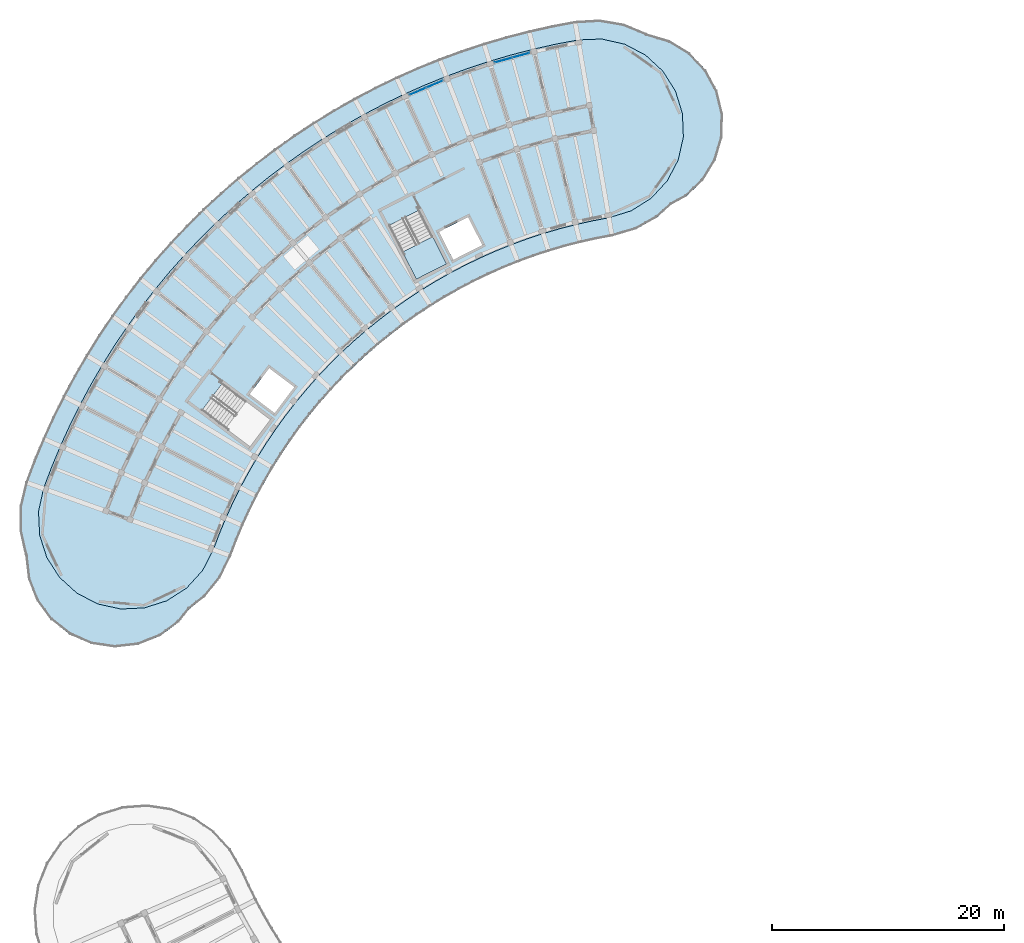
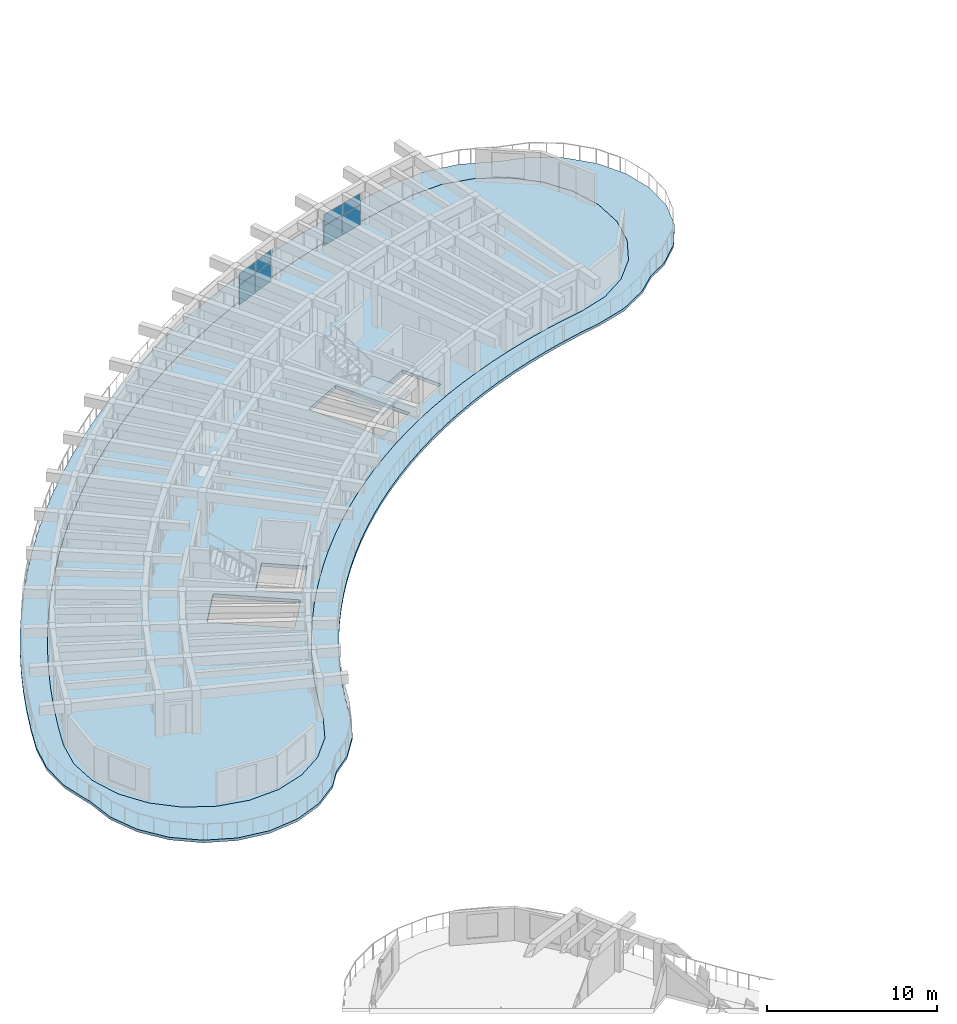
# One storey, part 29 of 62: 8 plates, 3 slabs, 3 elements without a shape of their own.
"""IFC4 building model written with IfcOpenShell, lengths in metres."""

from ifc_helpers import new_model, si_unit, direction, frame, origin, origin_2d, place, context, subcontext, project, spatial, polyline, rectangle, outline, extrude, material, layer, layer_set, type_object, element, aggregate, save


model = new_model("IFC4")

# Units and contexts
model_context = context("Model", 3, precision=1e-05, world=origin(), true_north=direction((0.0, 1.0)))
body_context = subcontext(model_context, "Body", "Model", "MODEL_VIEW")
ifc_project = project(units=[si_unit("LENGTHUNIT", "METRE"), si_unit("AREAUNIT", "SQUARE_METRE"), si_unit("VOLUMEUNIT", "CUBIC_METRE"), si_unit("PLANEANGLEUNIT", "RADIAN"), si_unit("MASSUNIT", "GRAM", prefix="KILO")], contexts=[model_context])

# Site, building, storey
site_placement = place(None, origin())
site = spatial("IfcSite", under=ifc_project, at=site_placement, CompositionType="ELEMENT")
building_placement = place(site_placement, origin())
building = spatial("IfcBuilding", under=site, at=building_placement, Name="Tanwirah Colonnade Gardens", CompositionType="ELEMENT")
storey_placement = place(building_placement, frame((0.0, 0.0, 32.360107421875)))
storey = spatial("IfcBuildingStorey", under=building, at=storey_placement, Name="L09", CompositionType="ELEMENT", Elevation=32.360107421875)

# Curtain wall, plates
ifc_material_1 = material(Name="Bronze-anodised aluminium and solar-control low-E glass", Category="aluminium")
curtain_wall_type = type_object("IfcCurtainWallType", Name="CW-LOB", PredefinedType="NOTDEFINED", material=ifc_material_1)
curtain_wall_1_placement = place(storey_placement, origin())
curtain_wall_1 = element("IfcCurtainWall", 1, at=curtain_wall_1_placement, inside=storey, type_object=curtain_wall_type, Name="Curtain Wall CW-A-L09-OUT-02", PredefinedType="NOTDEFINED")
ifc_material_2 = material(Name="Solar-control low-E double glazing", Category="glass")
ifc_layer_1 = layer(ifc_material_2, 0.028076171875)
ifc_layer_set_1 = layer_set([ifc_layer_1], Name="Solar-control low-E double glazing")
plate_type = type_object("IfcPlateType", Name="CWP-GLZ28", PredefinedType="CURTAIN_PANEL", material=ifc_layer_set_1)
plate_1_placement = place(storey_placement, frame((49.908203125, 117.77783203125, 0.059814453125), z_axis=(0.0, 0.0, 1.0), x_axis=(-0.963889165989, -0.266303728268, 0.0)))
plate_1 = element("IfcPlate", 2, at=plate_1_placement, type_object=plate_type, Name="CW-LOB panel 1.1", PredefinedType="CURTAIN_PANEL", context=body_context, shape_type="SweptSolid", body=[
    extrude(rectangle(XDim=1.512939453125, YDim=0.028076171875, at=origin_2d()), origin(), (0.0, 0.0, 1.0), 1.3701171875),
])
plate_2_placement = place(storey_placement, frame((49.908203125, 117.77783203125, 1.48974609375), z_axis=(0.0, 0.0, 1.0), x_axis=(-0.963889165989, -0.266303728268, 0.0)))
plate_2 = element("IfcPlate", 3, at=plate_2_placement, type_object=plate_type, Name="CW-LOB panel 1.2", PredefinedType="CURTAIN_PANEL", context=body_context, shape_type="SweptSolid", body=[
    extrude(rectangle(XDim=1.512939453125, YDim=0.028076171875, at=origin_2d()), origin(), (0.0, 0.0, 1.0), 0.804931640625),
])
plate_3_placement = place(storey_placement, frame((48.39208984375, 117.35888671875, 0.059814453125), z_axis=(0.0, 0.0, 1.0), x_axis=(-0.963889165989, -0.266303728268, 0.0)))
plate_3 = element("IfcPlate", 4, at=plate_3_placement, type_object=plate_type, Name="CW-LOB panel 2.1", PredefinedType="CURTAIN_PANEL", context=body_context, shape_type="SweptSolid", body=[
    extrude(rectangle(XDim=1.512939453125, YDim=0.028076171875, at=origin_2d()), origin(), (0.0, 0.0, 1.0), 1.3701171875),
])
plate_4_placement = place(storey_placement, frame((48.39208984375, 117.35888671875, 1.48974609375), z_axis=(0.0, 0.0, 1.0), x_axis=(-0.963889165989, -0.266303728268, 0.0)))
plate_4 = element("IfcPlate", 5, at=plate_4_placement, type_object=plate_type, Name="CW-LOB panel 2.2", PredefinedType="CURTAIN_PANEL", context=body_context, shape_type="SweptSolid", body=[
    extrude(rectangle(XDim=1.512939453125, YDim=0.028076171875, at=origin_2d()), origin(), (0.0, 0.0, 1.0), 0.804931640625),
])
aggregate(curtain_wall_1, [plate_1, plate_2, plate_3, plate_4])

curtain_wall_2_placement = place(storey_placement, origin())
curtain_wall_2 = element("IfcCurtainWall", 6, at=curtain_wall_2_placement, inside=storey, type_object=curtain_wall_type, Name="Curtain Wall CW-A-L09-OUT-04", PredefinedType="NOTDEFINED")
plate_5_placement = place(storey_placement, frame((42.468505859375, 115.29345703125, 0.059814453125), z_axis=(0.0, 0.0, 1.0), x_axis=(-0.920505499276, -0.390729607022, 0.0)))
plate_5 = element("IfcPlate", 7, at=plate_5_placement, type_object=plate_type, Name="CW-LOB panel 1.1", PredefinedType="CURTAIN_PANEL", context=body_context, shape_type="SweptSolid", body=[
    extrude(rectangle(XDim=1.512939453125, YDim=0.028076171875, at=origin_2d()), origin(), (0.0, 0.0, 1.0), 1.3701171875),
])
plate_6_placement = place(storey_placement, frame((42.468505859375, 115.29345703125, 1.48974609375), z_axis=(0.0, 0.0, 1.0), x_axis=(-0.920505499276, -0.390729607022, 0.0)))
plate_6 = element("IfcPlate", 8, at=plate_6_placement, type_object=plate_type, Name="CW-LOB panel 1.2", PredefinedType="CURTAIN_PANEL", context=body_context, shape_type="SweptSolid", body=[
    extrude(rectangle(XDim=1.512939453125, YDim=0.028076171875, at=origin_2d()), origin(), (0.0, 0.0, 1.0), 0.804931640625),
])
plate_7_placement = place(storey_placement, frame((41.020751953125, 114.678955078125, 0.059814453125), z_axis=(0.0, 0.0, 1.0), x_axis=(-0.920505499276, -0.390729607022, 0.0)))
plate_7 = element("IfcPlate", 9, at=plate_7_placement, type_object=plate_type, Name="CW-LOB panel 2.1", PredefinedType="CURTAIN_PANEL", context=body_context, shape_type="SweptSolid", body=[
    extrude(rectangle(XDim=1.512939453125, YDim=0.028076171875, at=origin_2d()), origin(), (0.0, 0.0, 1.0), 1.3701171875),
])
plate_8_placement = place(storey_placement, frame((41.020751953125, 114.678955078125, 1.48974609375), z_axis=(0.0, 0.0, 1.0), x_axis=(-0.920505499276, -0.390729607022, 0.0)))
plate_8 = element("IfcPlate", 10, at=plate_8_placement, type_object=plate_type, Name="CW-LOB panel 2.2", PredefinedType="CURTAIN_PANEL", context=body_context, shape_type="SweptSolid", body=[
    extrude(rectangle(XDim=1.512939453125, YDim=0.028076171875, at=origin_2d()), origin(), (0.0, 0.0, 1.0), 0.804931640625),
])
aggregate(curtain_wall_2, [plate_5, plate_6, plate_7, plate_8])

# Slab
ifc_material_3 = material(Name="White architectural precast concrete C40/50", Category="concrete")
ifc_layer_2 = layer(ifc_material_3, 0.18994140625)
ifc_layer_set_2 = layer_set([ifc_layer_2], Name="White architectural precast concrete C40/50")
slab_type_1 = type_object("IfcSlabType", Name="SL-BAL-190", PredefinedType="FLOOR", material=ifc_layer_set_2)
slab_1_placement = place(storey_placement, frame((0.0, 0.0, -0.190185546875)))
element("IfcSlab", 11, at=slab_1_placement, inside=storey, type_object=slab_type_1, Name="Block A L09 Continuous White Balcony Ribbon", PredefinedType="FLOOR", context=body_context, shape_type="SweptSolid", body=[
    extrude(outline(polyline([(62.877197265625, 104.9140625), (64.149169921875, 105.604736328125), (65.626220703125, 107.00634765625), (66.690185546875, 108.74267578125), (67.2685546875, 110.695068359375), (67.32177734375, 112.73046875), (66.846435546875, 114.71044921875), (65.874755859375, 116.499755859375), (64.47314453125, 117.976806640625), (62.737060546875, 119.040771484375), (60.787353515625, 119.618408203125), (60.696533203125, 119.682373046875), (58.75, 120.4833984375), (56.673828125, 120.8310546875), (54.572509765625, 120.7080078125), (52.583740234375, 120.33154296875), (50.608642578125, 119.8896484375), (48.64892578125, 119.3828125), (46.70703125, 118.811767578125), (44.78515625, 118.1767578125), (42.885009765625, 117.47900390625), (41.009033203125, 116.718994140625), (39.1591796875, 115.8974609375), (37.33740234375, 115.015380859375), (35.545654296875, 114.073974609375), (33.785888671875, 113.07373046875), (32.06005859375, 112.01611328125), (30.3701171875, 110.90234375), (28.717529296875, 109.7333984375), (27.104736328125, 108.510498046875), (25.532958984375, 107.235107421875), (24.00390625, 105.90869140625), (22.51953125, 104.532470703125), (21.08154296875, 103.108154296875), (19.69091796875, 101.63720703125), (18.349853515625, 100.121337890625), (17.059326171875, 98.56201171875), (15.82080078125, 96.9609375), (14.6357421875, 95.320068359375), (13.505615234375, 93.640869140625), (12.431396484375, 91.92529296875), (11.414306640625, 90.17529296875), (10.455322265625, 88.392822265625), (9.5556640625, 86.57958984375), (8.71630859375, 84.73779296875), (7.93798828125, 82.869140625), (7.221923828125, 80.97607421875), (6.73583984375, 78.927978515625), (6.7177734375, 76.8232421875), (7.16845703125, 74.76708984375), (7.2158203125, 74.66650390625), (7.446044921875, 72.646240234375), (8.1923828125, 70.751708984375), (9.403564453125, 69.11474609375), (10.9970703125, 67.84716796875), (12.864501953125, 67.035400390625), (14.878173828125, 66.734375), (16.9013671875, 66.96484375), (18.7958984375, 67.711181640625), (20.4326171875, 68.92236328125), (21.333740234375, 70.05517578125), (22.65673828125, 71.091796875), (23.9833984375, 72.72607421875), (24.912841796875, 74.61474609375), (25.409912109375, 75.92822265625), (25.94970703125, 77.224609375), (26.531982421875, 78.50244140625), (27.15625, 79.760498046875), (27.821533203125, 80.997314453125), (28.52734375, 82.21142578125), (29.272705078125, 83.401611328125), (30.056884765625, 84.566650390625), (30.87890625, 85.705078125), (31.73828125, 86.81591796875), (32.633544921875, 87.89794921875), (33.564208984375, 88.94970703125), (34.52880859375, 89.97021484375), (35.526611328125, 90.95849609375), (36.556396484375, 91.9130859375), (37.6171875, 92.83349609375), (38.707763671875, 93.71826171875), (39.826904296875, 94.566650390625), (40.973388671875, 95.3779296875), (42.14599609375, 96.150634765625), (43.34326171875, 96.884521484375), (44.564208984375, 97.578369140625), (45.807373046875, 98.231689453125), (47.0712890625, 98.843505859375), (48.354736328125, 99.41357421875), (49.656494140625, 99.94091796875), (50.974609375, 100.425048828125), (52.30810546875, 100.865478515625), (53.655517578125, 101.26171875), (55.01513671875, 101.61328125), (56.385498046875, 101.919921875), (57.765380859375, 102.18115234375), (59.78662109375, 102.7685546875), (61.62646484375, 103.791259765625), (62.877197265625, 104.9140625)]), holes=[polyline([(59.429443359375, 104.381103515625), (57.48876953125, 103.77734375), (56.058349609375, 103.506591796875), (56.0576171875, 103.50634765625), (54.6357421875, 103.188232421875), (54.635009765625, 103.18798828125), (53.224365234375, 102.8232421875), (53.2236328125, 102.822998046875), (51.825927734375, 102.411865234375), (51.8251953125, 102.411865234375), (50.441650390625, 101.954833984375), (50.44091796875, 101.95458984375), (49.0732421875, 101.4521484375), (49.07275390625, 101.451904296875), (47.72216796875, 100.90478515625), (47.7216796875, 100.904541015625), (46.389892578125, 100.313232421875), (46.38916015625, 100.31298828125), (45.077880859375, 99.677978515625), (45.0771484375, 99.677734375), (43.787353515625, 99.0), (43.786865234375, 98.99951171875), (42.52001953125, 98.279541015625), (42.51953125, 98.279296875), (41.277099609375, 97.51806640625), (41.276611328125, 97.517578125), (40.059814453125, 96.7158203125), (40.059326171875, 96.71533203125), (38.869873046875, 95.873779296875), (38.869384765625, 95.87353515625), (37.708251953125, 94.9931640625), (37.707763671875, 94.99267578125), (36.576171875, 94.07470703125), (36.57568359375, 94.07421875), (35.47509765625, 93.119384765625), (35.474609375, 93.118896484375), (34.406005859375, 92.12841796875), (34.405517578125, 92.1279296875), (33.370361328125, 91.1025390625), (33.369873046875, 91.10205078125), (32.368896484375, 90.043212890625), (32.368408203125, 90.042724609375), (31.40283203125, 88.951416015625), (31.402587890625, 88.950927734375), (30.473388671875, 87.828369140625), (30.47314453125, 87.827880859375), (29.58154296875, 86.67529296875), (29.581298828125, 86.6748046875), (28.728271484375, 85.493408203125), (28.727783203125, 85.492919921875), (27.9140625, 84.2841796875), (27.913818359375, 84.28369140625), (27.140380859375, 83.048828125), (27.14013671875, 83.048095703125), (26.407958984375, 81.788330078125), (26.40771484375, 81.787841796875), (25.71728515625, 80.504638671875), (25.717041015625, 80.504150390625), (25.0693359375, 79.19873046875), (25.069091796875, 79.1982421875), (24.46484375, 77.872314453125), (24.464599609375, 77.87158203125), (23.904296875, 76.526611328125), (23.904052734375, 76.52587890625), (23.388916015625, 75.164306640625), (22.45751953125, 73.35791015625), (21.09130859375, 71.855224609375), (19.382568359375, 70.75732421875), (17.447998046875, 70.13916015625), (15.41943359375, 70.04248046875), (13.434814453125, 70.474365234375), (11.6298828125, 71.4052734375), (10.127197265625, 72.771484375), (9.029296875, 74.480224609375), (8.4111328125, 76.414794921875), (8.314697265625, 78.443359375), (8.746826171875, 80.428955078125), (9.443603515625, 82.271240234375), (10.201171875, 84.09033203125), (11.0185546875, 85.883544921875), (11.89453125, 87.64892578125), (12.828125, 89.384521484375), (13.818359375, 91.08837890625), (14.8642578125, 92.758544921875), (15.964599609375, 94.393310546875), (17.118408203125, 95.990966796875), (18.32421875, 97.5498046875), (19.58056640625, 99.068115234375), (20.886474609375, 100.5439453125), (22.240234375, 101.97607421875), (23.640380859375, 103.36279296875), (25.085693359375, 104.70263671875), (26.57421875, 105.994140625), (28.1044921875, 107.23583984375), (29.6748046875, 108.42626953125), (31.28369140625, 109.564453125), (32.92919921875, 110.649169921875), (34.609375, 111.6787109375), (36.32275390625, 112.652587890625), (38.067138671875, 113.5693359375), (39.841064453125, 114.427978515625), (41.64208984375, 115.227783203125), (43.468505859375, 115.9677734375), (45.318359375, 116.647216796875), (47.189697265625, 117.26513671875), (49.080322265625, 117.8212890625), (50.98828125, 118.314697265625), (52.911376953125, 118.744873046875), (54.8466796875, 119.111328125), (56.877197265625, 119.192138671875), (58.858154296875, 118.744873046875), (60.656005859375, 117.800048828125), (62.14794921875, 116.42236328125), (63.232666015625, 114.705078125), (63.835693359375, 112.765869140625), (63.91650390625, 110.736572265625), (63.46923828125, 108.75537109375), (62.5244140625, 106.95751953125), (61.146484375, 105.465576171875), (59.429443359375, 104.381103515625)])]), origin(), (0.0, 0.0, 1.0), 0.190185546875),
])

# Stair, slab
ifc_material_4 = material(Name="Precast concrete C40/50", Category="concrete")
stair_type = type_object("IfcStairType", Name="ST-RES168", PredefinedType="HALF_TURN_STAIR", material=ifc_material_4)
stair_placement = place(storey_placement, origin())
stair = element("IfcStair", 12, at=stair_placement, inside=storey, type_object=stair_type, Name="L09 Block A Core 1 Exit Stair", PredefinedType="HALF_TURN_STAIR")
ifc_layer_3 = layer(ifc_material_4, 0.205078125)
ifc_layer_set_3 = layer_set([ifc_layer_3], Name="Precast concrete C40/50")
slab_type_2 = type_object("IfcSlabType", Name="SL-LND-205", PredefinedType="LANDING", material=ifc_layer_set_3)
slab_2_placement = place(storey_placement, frame((0.0, 0.0, 1.474853515625)))
slab_2 = element("IfcSlab", 13, at=slab_2_placement, type_object=slab_type_2, Name="ST-A1 landing 1", PredefinedType="LANDING", context=body_context, shape_type="SweptSolid", body=[
    extrude(outline(polyline([(39.6982421875, 100.826171875), (40.89453125, 98.478515625), (43.496337890625, 99.80419921875), (42.300048828125, 102.15185546875), (39.6982421875, 100.826171875)])), origin(), (0.0, 0.0, 1.0), 0.205078125),
])
aggregate(stair, [slab_2])

# Slab
ifc_layer_4 = layer(ifc_material_4, 0.2451171875)
ifc_layer_set_4 = layer_set([ifc_layer_4], Name="Precast concrete C40/50")
slab_type_3 = type_object("IfcSlabType", Name="SL-RES-245", PredefinedType="FLOOR", material=ifc_layer_set_4)
slab_3_placement = place(storey_placement, frame((0.0, 0.0, -0.2451171875)))
element("IfcSlab", 14, at=slab_3_placement, inside=storey, type_object=slab_type_3, Name="Block A L09 Precast Composite Floor Slab", PredefinedType="FLOOR", context=body_context, shape_type="SweptSolid", body=[
    extrude(outline(polyline([(54.64013671875, 103.168701171875), (56.06201171875, 103.48681640625), (57.49365234375, 103.758056640625), (59.43798828125, 104.36279296875), (61.159423828125, 105.4501953125), (62.541015625, 106.946044921875), (63.48828125, 108.74853515625), (63.9365234375, 110.734619140625), (63.855712890625, 112.769287109375), (63.2509765625, 114.713623046875), (62.16357421875, 116.43505859375), (60.667724609375, 117.816650390625), (58.865234375, 118.763916015625), (56.87890625, 119.212158203125), (54.84423828125, 119.13134765625), (52.907470703125, 118.7646484375), (50.983642578125, 118.334228515625), (49.074951171875, 117.840576171875), (47.183837890625, 117.284423828125), (45.311767578125, 116.666015625), (43.46142578125, 115.986328125), (41.63427734375, 115.24609375), (39.83251953125, 114.446044921875), (38.05810546875, 113.587158203125), (36.313232421875, 112.669921875), (34.599365234375, 111.696044921875), (32.91845703125, 110.666015625), (31.2724609375, 109.5810546875), (29.6630859375, 108.442626953125), (28.092041015625, 107.25146484375), (26.561279296875, 106.009521484375), (25.072265625, 104.717529296875), (23.62646484375, 103.377197265625), (22.225830078125, 101.990234375), (20.87158203125, 100.5576171875), (19.5654296875, 99.0810546875), (18.30859375, 97.562255859375), (17.102294921875, 96.0029296875), (15.9482421875, 94.40478515625), (14.847412109375, 92.76953125), (13.80126953125, 91.0986328125), (12.810546875, 89.394287109375), (11.876708984375, 87.658203125), (11.00048828125, 85.892333984375), (10.182861328125, 84.098388671875), (9.425048828125, 82.278564453125), (8.7275390625, 80.434814453125), (8.29443359375, 78.445068359375), (8.39111328125, 76.4111328125), (9.010986328125, 74.4716796875), (10.11181640625, 72.758544921875), (11.618408203125, 71.388671875), (13.427978515625, 70.45556640625), (15.417724609375, 70.0224609375), (17.45166015625, 70.119140625), (19.39111328125, 70.739013671875), (21.104248046875, 71.83984375), (22.47412109375, 73.346435546875), (23.4072265625, 75.156005859375), (23.9228515625, 76.518798828125), (24.483154296875, 77.864013671875), (25.08740234375, 79.18994140625), (25.73486328125, 80.4951171875), (26.42529296875, 81.7783203125), (27.157470703125, 83.0380859375), (27.9306640625, 84.27294921875), (28.744384765625, 85.48193359375), (29.597412109375, 86.6630859375), (30.489013671875, 87.815673828125), (31.41796875, 88.938232421875), (32.38330078125, 90.029541015625), (33.38427734375, 91.08837890625), (34.419677734375, 92.11376953125), (35.48828125, 93.104248046875), (36.5888671875, 94.05908203125), (37.72021484375, 94.977294921875), (38.88134765625, 95.857421875), (40.07080078125, 96.698974609375), (41.28759765625, 97.5009765625), (42.52978515625, 98.26220703125), (43.796630859375, 98.982177734375), (45.08642578125, 99.659912109375), (46.39794921875, 100.294921875), (47.729736328125, 100.88623046875), (49.080078125, 101.433349609375), (50.447998046875, 101.935791015625), (51.83154296875, 102.392822265625), (53.229248046875, 102.803955078125), (54.64013671875, 103.168701171875)]), holes=[polyline([(41.13427734375, 104.433349609375), (43.49365234375, 99.802734375), (40.897216796875, 98.479736328125), (38.537841796875, 103.1103515625), (41.13427734375, 104.433349609375)]), polyline([(46.574462890625, 101.428466796875), (44.07958984375, 100.157470703125), (42.853759765625, 102.563232421875), (45.3486328125, 103.834228515625), (46.574462890625, 101.428466796875)]), polyline([(26.555908203125, 84.039794921875), (22.4052734375, 87.16748046875), (24.158935546875, 89.49462890625), (28.3095703125, 86.366943359375), (26.555908203125, 84.039794921875)]), polyline([(26.5244140625, 88.5673828125), (28.20947265625, 90.8037109375), (30.36572265625, 89.1787109375), (28.6806640625, 86.942626953125), (26.5244140625, 88.5673828125)])]), origin(), (0.0, 0.0, 1.0), 0.2451171875),
])

save(model, "model.ifc")
